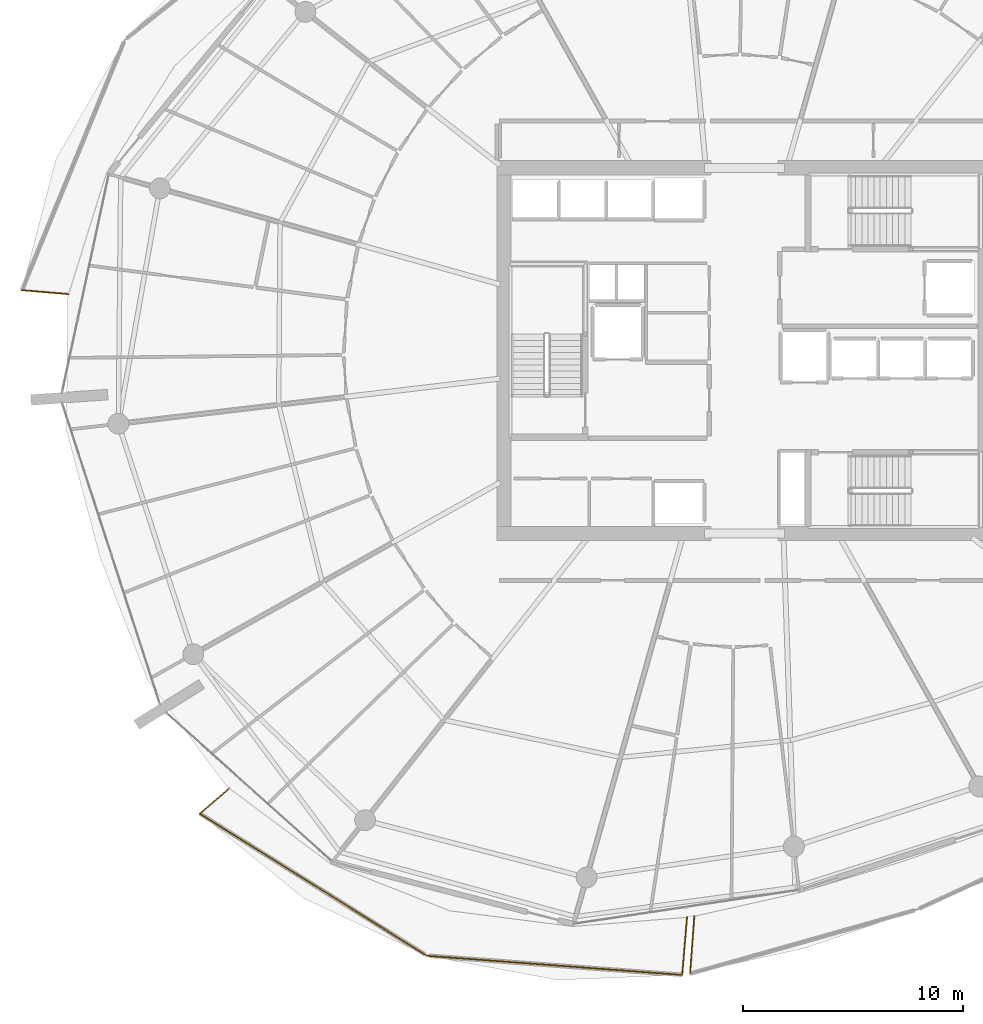
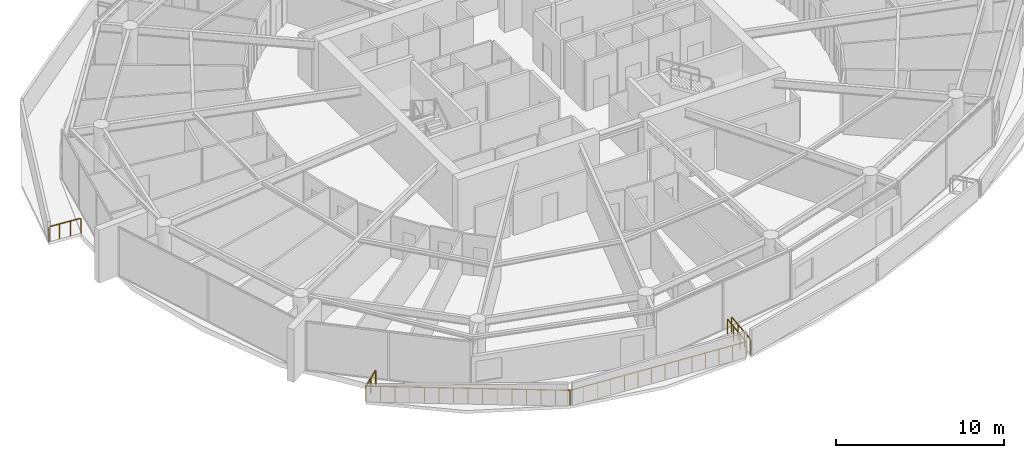
# One storey, part 24 of 30: 6 railings.
"""IFC4 building model written with IfcOpenShell, lengths in metres."""

from ifc_helpers import new_model, si_unit, direction, frame, origin, origin_2d, place, context, subcontext, project, spatial, rectangle, extrude, material, type_object, element, save


model = new_model("IFC4")

# Units and contexts
model_context = context("Model", 3, precision=1e-05, world=origin(), true_north=direction((0.0, 1.0)))
body_context = subcontext(model_context, "Body", "Model", "MODEL_VIEW")
ifc_project = project(units=[si_unit("LENGTHUNIT", "METRE"), si_unit("AREAUNIT", "SQUARE_METRE"), si_unit("VOLUMEUNIT", "CUBIC_METRE"), si_unit("PLANEANGLEUNIT", "RADIAN"), si_unit("MASSUNIT", "GRAM", prefix="KILO")], contexts=[model_context])

# Site, building, storey
site_placement = place(None, origin())
site = spatial("IfcSite", under=ifc_project, at=site_placement, CompositionType="ELEMENT")
building_placement = place(site_placement, origin())
building = spatial("IfcBuilding", under=site, at=building_placement, Name="Kazma Halo Residences", CompositionType="ELEMENT")
storey_placement = place(building_placement, frame((0.0, 0.0, 236.699951171875)))
storey = spatial("IfcBuildingStorey", under=building, at=storey_placement, Name="L59", CompositionType="ELEMENT", Elevation=236.699951171875)

# Railings
ifc_material = material(Name="Aluminium AW-6063 T6 Brushed Cap Rail", Category="aluminium")
railing_type = type_object("IfcRailingType", Name="RLG-BAL-CAP-1120", PredefinedType="BALUSTRADE", material=ifc_material)
railing_1_placement = place(storey_placement, frame((15.527099609375, 44.75537109375, 0.0)))
element("IfcRailing", 1, at=railing_1_placement, inside=storey, type_object=railing_type, Name="L59 NW wave balcony guard 4", PredefinedType="BALUSTRADE", context=body_context, shape_type="SweptSolid", body=[
    extrude(rectangle(XDim=0.050048828125, YDim=0.050048828125, at=origin_2d()), frame((0.04248046875, -0.003662109375, 1.09521484375), z_axis=(0.99641734676, -0.084572283141, 0.0), x_axis=(0.084572283141, 0.99641734676, 0.0)), (0.0, 0.0, 1.0), 2.04541015625),
    extrude(rectangle(XDim=0.0400390625, YDim=0.0400390625, at=origin_2d()), origin(), (0.0, 0.0, 1.0), 1.05810546875),
    extrude(rectangle(XDim=0.0400390625, YDim=0.0400390625, at=origin_2d()), frame((0.70751953125, -0.06005859375, 0.0)), (0.0, 0.0, 1.0), 1.05810546875),
    extrude(rectangle(XDim=0.0400390625, YDim=0.0400390625, at=origin_2d()), frame((1.415283203125, -0.1201171875, 0.0)), (0.0, 0.0, 1.0), 1.05810546875),
    extrude(rectangle(XDim=0.0400390625, YDim=0.0400390625, at=origin_2d()), frame((2.122802734375, -0.18017578125, 0.0)), (0.0, 0.0, 1.0), 1.05810546875),
])
railing_2_placement = place(storey_placement, frame((24.9599609375, 22.0771484375, 0.0)))
element("IfcRailing", 2, at=railing_2_placement, inside=storey, type_object=railing_type, Name="L59 SW wave balcony guard 1", PredefinedType="BALUSTRADE", context=body_context, shape_type="SweptSolid", body=[
    extrude(rectangle(XDim=0.050048828125, YDim=0.050048828125, at=origin_2d()), frame((-0.0322265625, -0.02783203125, 1.09521484375), z_axis=(-0.756439222674, -0.65406398953, 0.0), x_axis=(0.65406398953, -0.756439222674, 0.0)), (0.0, 0.0, 1.0), 1.6748046875),
    extrude(rectangle(XDim=0.0400390625, YDim=0.0400390625, at=origin_2d()), origin(), (0.0, 0.0, 1.0), 1.05810546875),
    extrude(rectangle(XDim=0.0400390625, YDim=0.0400390625, at=origin_2d()), frame((-0.66552734375, -0.57568359375, 0.0)), (0.0, 0.0, 1.0), 1.05810546875),
    extrude(rectangle(XDim=0.0400390625, YDim=0.0400390625, at=origin_2d()), frame((-1.331298828125, -1.151123046875, 0.0)), (0.0, 0.0, 1.0), 1.05810546875),
])
railing_3_placement = place(storey_placement, frame((23.628662109375, 20.926025390625, 0.0)))
element("IfcRailing", 3, at=railing_3_placement, inside=storey, type_object=railing_type, Name="L59 SW wave balcony guard 2", PredefinedType="BALUSTRADE", context=body_context, shape_type="SweptSolid", body=[
    extrude(rectangle(XDim=0.050048828125, YDim=0.050048828125, at=origin_2d()), frame((0.0361328125, -0.0224609375, 1.09521484375), z_axis=(0.847746265353, -0.530401988664, 0.0), x_axis=(0.530401988664, 0.847746265353, 0.0)), (0.0, 0.0, 1.0), 12.109375),
    extrude(rectangle(XDim=0.0400390625, YDim=0.0400390625, at=origin_2d()), origin(), (0.0, 0.0, 1.0), 1.05810546875),
    extrude(rectangle(XDim=0.0400390625, YDim=0.0400390625, at=origin_2d()), frame((0.738525390625, -0.4619140625, 0.0)), (0.0, 0.0, 1.0), 1.05810546875),
    extrude(rectangle(XDim=0.0400390625, YDim=0.0400390625, at=origin_2d()), frame((1.476806640625, -0.924072265625, 0.0)), (0.0, 0.0, 1.0), 1.05810546875),
    extrude(rectangle(XDim=0.0400390625, YDim=0.0400390625, at=origin_2d()), frame((2.21533203125, -1.385986328125, 0.0)), (0.0, 0.0, 1.0), 1.05810546875),
    extrude(rectangle(XDim=0.0400390625, YDim=0.0400390625, at=origin_2d()), frame((2.95361328125, -1.847900390625, 0.0)), (0.0, 0.0, 1.0), 1.05810546875),
    extrude(rectangle(XDim=0.0400390625, YDim=0.0400390625, at=origin_2d()), frame((3.692138671875, -2.31005859375, 0.0)), (0.0, 0.0, 1.0), 1.05810546875),
    extrude(rectangle(XDim=0.0400390625, YDim=0.0400390625, at=origin_2d()), frame((4.430419921875, -2.77197265625, 0.0)), (0.0, 0.0, 1.0), 1.05810546875),
    extrude(rectangle(XDim=0.0400390625, YDim=0.0400390625, at=origin_2d()), frame((5.1689453125, -3.23388671875, 0.0)), (0.0, 0.0, 1.0), 1.05810546875),
    extrude(rectangle(XDim=0.0400390625, YDim=0.0400390625, at=origin_2d()), frame((5.907470703125, -3.696044921875, 0.0)), (0.0, 0.0, 1.0), 1.05810546875),
    extrude(rectangle(XDim=0.0400390625, YDim=0.0400390625, at=origin_2d()), frame((6.645751953125, -4.157958984375, 0.0)), (0.0, 0.0, 1.0), 1.05810546875),
    extrude(rectangle(XDim=0.0400390625, YDim=0.0400390625, at=origin_2d()), frame((7.38427734375, -4.6201171875, 0.0)), (0.0, 0.0, 1.0), 1.05810546875),
    extrude(rectangle(XDim=0.0400390625, YDim=0.0400390625, at=origin_2d()), frame((8.12255859375, -5.08203125, 0.0)), (0.0, 0.0, 1.0), 1.05810546875),
    extrude(rectangle(XDim=0.0400390625, YDim=0.0400390625, at=origin_2d()), frame((8.861083984375, -5.5439453125, 0.0)), (0.0, 0.0, 1.0), 1.05810546875),
    extrude(rectangle(XDim=0.0400390625, YDim=0.0400390625, at=origin_2d()), frame((9.599365234375, -6.006103515625, 0.0)), (0.0, 0.0, 1.0), 1.05810546875),
    extrude(rectangle(XDim=0.0400390625, YDim=0.0400390625, at=origin_2d()), frame((10.337890625, -6.468017578125, 0.0)), (0.0, 0.0, 1.0), 1.05810546875),
])
railing_4_placement = place(storey_placement, frame((33.966552734375, 14.4580078125, 0.0)))
element("IfcRailing", 4, at=railing_4_placement, inside=storey, type_object=railing_type, Name="L59 SW wave balcony guard 3", PredefinedType="BALUSTRADE", context=body_context, shape_type="SweptSolid", body=[
    extrude(rectangle(XDim=0.050048828125, YDim=0.050048828125, at=origin_2d()), frame((0.04248046875, -0.003173828125, 1.09521484375), z_axis=(0.997192197281, -0.074884722625, 0.0), x_axis=(0.074884722625, 0.997192197281, 0.0)), (0.0, 0.0, 1.0), 11.5703125),
    extrude(rectangle(XDim=0.0400390625, YDim=0.0400390625, at=origin_2d()), origin(), (0.0, 0.0, 1.0), 1.05810546875),
    extrude(rectangle(XDim=0.0400390625, YDim=0.0400390625, at=origin_2d()), frame((0.89404296875, -0.067138671875, 0.0)), (0.0, 0.0, 1.0), 1.05810546875),
    extrude(rectangle(XDim=0.0400390625, YDim=0.0400390625, at=origin_2d()), frame((1.7880859375, -0.13427734375, 0.0)), (0.0, 0.0, 1.0), 1.05810546875),
    extrude(rectangle(XDim=0.0400390625, YDim=0.0400390625, at=origin_2d()), frame((2.68212890625, -0.201416015625, 0.0)), (0.0, 0.0, 1.0), 1.05810546875),
    extrude(rectangle(XDim=0.0400390625, YDim=0.0400390625, at=origin_2d()), frame((3.576171875, -0.2685546875, 0.0)), (0.0, 0.0, 1.0), 1.05810546875),
    extrude(rectangle(XDim=0.0400390625, YDim=0.0400390625, at=origin_2d()), frame((4.47021484375, -0.335693359375, 0.0)), (0.0, 0.0, 1.0), 1.05810546875),
    extrude(rectangle(XDim=0.0400390625, YDim=0.0400390625, at=origin_2d()), frame((5.3642578125, -0.40283203125, 0.0)), (0.0, 0.0, 1.0), 1.05810546875),
    extrude(rectangle(XDim=0.0400390625, YDim=0.0400390625, at=origin_2d()), frame((6.25830078125, -0.469970703125, 0.0)), (0.0, 0.0, 1.0), 1.05810546875),
    extrude(rectangle(XDim=0.0400390625, YDim=0.0400390625, at=origin_2d()), frame((7.15234375, -0.537109375, 0.0)), (0.0, 0.0, 1.0), 1.05810546875),
    extrude(rectangle(XDim=0.0400390625, YDim=0.0400390625, at=origin_2d()), frame((8.04638671875, -0.604248046875, 0.0)), (0.0, 0.0, 1.0), 1.05810546875),
    extrude(rectangle(XDim=0.0400390625, YDim=0.0400390625, at=origin_2d()), frame((8.9404296875, -0.67138671875, 0.0)), (0.0, 0.0, 1.0), 1.05810546875),
    extrude(rectangle(XDim=0.0400390625, YDim=0.0400390625, at=origin_2d()), frame((9.83447265625, -0.738525390625, 0.0)), (0.0, 0.0, 1.0), 1.05810546875),
    extrude(rectangle(XDim=0.0400390625, YDim=0.0400390625, at=origin_2d()), frame((10.728515625, -0.8056640625, 0.0)), (0.0, 0.0, 1.0), 1.05810546875),
    extrude(rectangle(XDim=0.0400390625, YDim=0.0400390625, at=origin_2d()), frame((11.62255859375, -0.872802734375, 0.0)), (0.0, 0.0, 1.0), 1.05810546875),
])
railing_5_placement = place(storey_placement, frame((45.589111328125, 13.585205078125, 0.0)))
element("IfcRailing", 5, at=railing_5_placement, inside=storey, type_object=railing_type, Name="L59 SW wave balcony guard 4", PredefinedType="BALUSTRADE", context=body_context, shape_type="SweptSolid", body=[
    extrude(rectangle(XDim=0.050048828125, YDim=0.050048828125, at=origin_2d()), frame((0.003662109375, 0.04248046875, 1.09521484375), z_axis=(0.084474319693, 0.996425656691, 0.0), x_axis=(-0.996425656691, 0.084474319693, 0.0)), (0.0, 0.0, 1.0), 2.544921875),
    extrude(rectangle(XDim=0.0400390625, YDim=0.0400390625, at=origin_2d()), origin(), (0.0, 0.0, 1.0), 1.05810546875),
    extrude(rectangle(XDim=0.0400390625, YDim=0.0400390625, at=origin_2d()), frame((0.073974609375, 0.87353515625, 0.0)), (0.0, 0.0, 1.0), 1.05810546875),
    extrude(rectangle(XDim=0.0400390625, YDim=0.0400390625, at=origin_2d()), frame((0.148193359375, 1.7470703125, 0.0)), (0.0, 0.0, 1.0), 1.05810546875),
    extrude(rectangle(XDim=0.0400390625, YDim=0.0400390625, at=origin_2d()), frame((0.22216796875, 2.62060546875, 0.0)), (0.0, 0.0, 1.0), 1.05810546875),
])
railing_6_placement = place(storey_placement, frame((46.1318359375, 16.25390625, 0.0)))
element("IfcRailing", 6, at=railing_6_placement, inside=storey, type_object=railing_type, Name="L59 SSE wave balcony guard 1", PredefinedType="BALUSTRADE", context=body_context, shape_type="SweptSolid", body=[
    extrude(rectangle(XDim=0.050048828125, YDim=0.050048828125, at=origin_2d()), frame((-0.003173828125, -0.04248046875, 1.09521484375), z_axis=(-0.072350681642, -0.997379255282, 0.0), x_axis=(0.997379255282, -0.072350681642, 0.0)), (0.0, 0.0, 1.0), 2.540283203125),
    extrude(rectangle(XDim=0.0400390625, YDim=0.0400390625, at=origin_2d()), origin(), (0.0, 0.0, 1.0), 1.05810546875),
    extrude(rectangle(XDim=0.0400390625, YDim=0.0400390625, at=origin_2d()), frame((-0.063232421875, -0.872802734375, 0.0)), (0.0, 0.0, 1.0), 1.05810546875),
    extrude(rectangle(XDim=0.0400390625, YDim=0.0400390625, at=origin_2d()), frame((-0.126708984375, -1.74560546875, 0.0)), (0.0, 0.0, 1.0), 1.05810546875),
    extrude(rectangle(XDim=0.0400390625, YDim=0.0400390625, at=origin_2d()), frame((-0.18994140625, -2.618408203125, 0.0)), (0.0, 0.0, 1.0), 1.05810546875),
])

save(model, "model.ifc")
